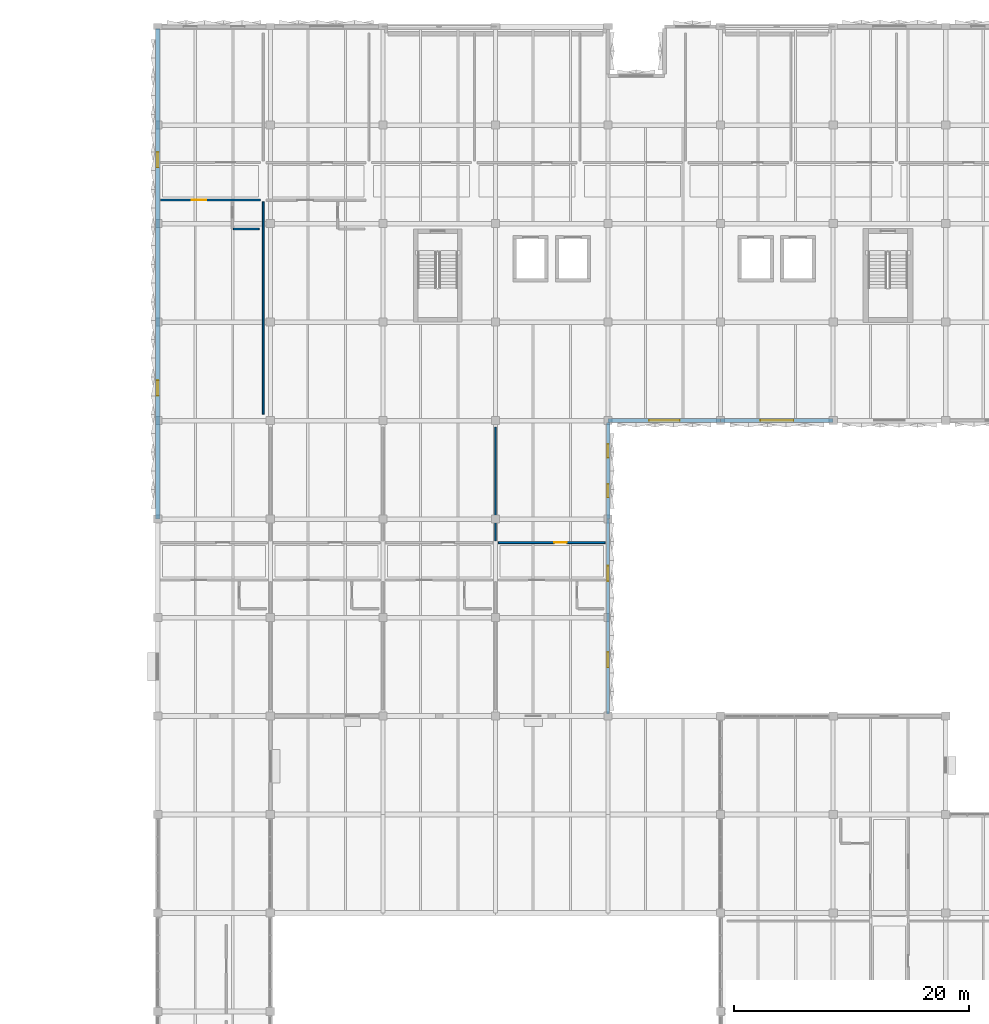
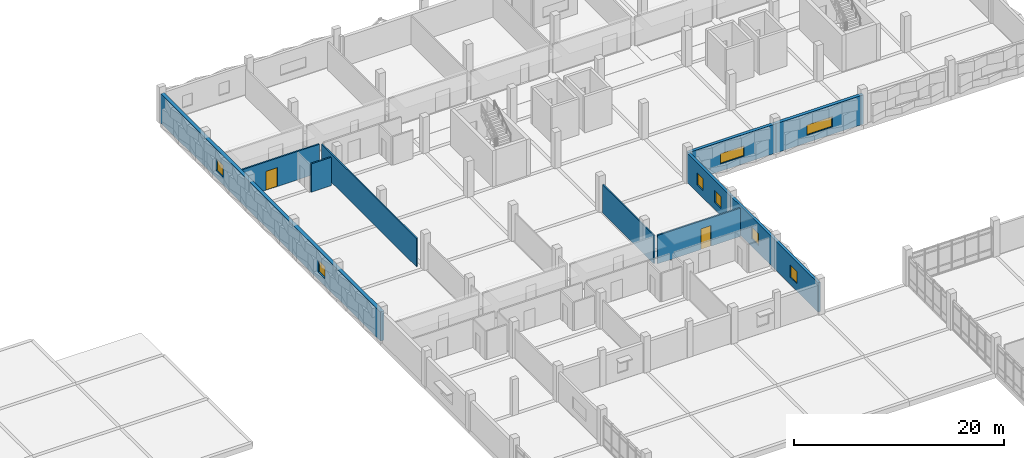
# One storey, part 44 of 57: 10 walls, 8 windows, 2 doors, 10 openings.
"""IFC4 building model written with IfcOpenShell, lengths in metres."""

import ifcopenshell
import ifcopenshell.guid

model = None  # the IFC model being written
_history = None  # IfcOwnerHistory: only IFC2X3 demands one
_inside = {}  # id of a spatial element -> (the spatial element, [elements in it])
_under = {}  # id of a project, library or spatial element -> (it, [spatial elements below it])
_declared = {}  # id of a project -> (the project, [libraries it declares])
_typed = {}  # id of a type object -> (the type object, [elements of that type])
_made_of = {}  # id of a material, layer set ... -> (it, [elements and type objects made of it])


def new_model(schema):
    """Start an empty IFC model of exactly this schema.

    Asked for "IFC4X3", IfcOpenShell would pick the latest addendum, in which some entities
    have other attributes; the version numbers below select the first issue.
    IFC2X3 requires an IfcOwnerHistory on every rooted entity: one is made here for all.
    """
    global model, _history
    if schema == "IFC4X3":
        model = ifcopenshell.file(schema_version=(4, 3, 0, 0))
    else:
        model = ifcopenshell.file(schema=schema)
    _inside.clear()
    _under.clear()
    _declared.clear()
    _typed.clear()
    _made_of.clear()
    _history = None
    if model.schema == "IFC2X3":
        org = make("IfcOrganization", Name="unknown")
        user = make(
            "IfcPersonAndOrganization",
            ThePerson=make("IfcPerson", FamilyName="unknown"),
            TheOrganization=org,
        )
        app = make(
            "IfcApplication",
            ApplicationDeveloper=org,
            Version="unknown",
            ApplicationFullName="unknown",
            ApplicationIdentifier="unknown",
        )
        _history = make(
            "IfcOwnerHistory",
            OwningUser=user,
            OwningApplication=app,
            ChangeAction="ADDED",
            CreationDate=0,
        )
    return model


def make(cls, **values):
    """One entity of the class cls with the attributes given. An attribute that is None is left unset."""
    return model.create_entity(
        cls, **{name: value for name, value in values.items() if value is not None}
    )


def rooted(cls, **values):
    """An entity with a GlobalId (a new one), such as an element, a storey or a relation."""
    return make(cls, GlobalId=ifcopenshell.guid.new(), OwnerHistory=_history, **values)


def si_unit(unit_type, name, prefix=None):
    """IfcSIUnit, for example si_unit("LENGTHUNIT", "METRE", prefix="MILLI")."""
    return make("IfcSIUnit", UnitType=unit_type, Prefix=prefix, Name=name)


def assignment(units):
    """IfcUnitAssignment: the units of a project."""
    return None if units is None else make("IfcUnitAssignment", Units=units)


def point(xyz):
    """IfcCartesianPoint."""
    return None if xyz is None else make("IfcCartesianPoint", Coordinates=xyz)


def direction(xyz):
    """IfcDirection."""
    return None if xyz is None else make("IfcDirection", DirectionRatios=xyz)


def frame(location, z_axis=None, x_axis=None):
    """IfcAxis2Placement3D, a coordinate frame: its origin and axes. An axis left out is left unset."""
    return make(
        "IfcAxis2Placement3D",
        Location=point(location),
        Axis=direction(z_axis),
        RefDirection=direction(x_axis),
    )


def frame_2d(location, x_axis=None):
    """IfcAxis2Placement2D, a coordinate frame in the plane: its origin and x axis."""
    return make(
        "IfcAxis2Placement2D", Location=point(location), RefDirection=direction(x_axis)
    )


def origin():
    """The frame at (0, 0, 0) with its axes left unset."""
    return frame((0.0, 0.0, 0.0))


def place(relative_to, where):
    """IfcLocalPlacement: puts the frame where relative to a parent placement (None: the world)."""
    return make(
        "IfcLocalPlacement", PlacementRelTo=relative_to, RelativePlacement=where
    )


def context(
    kind, dimensions, precision=None, world=None, true_north=None, identifier=None
):
    """IfcGeometricRepresentationContext, for example the 3D "Model" context."""
    return make(
        "IfcGeometricRepresentationContext",
        ContextIdentifier=identifier,
        ContextType=kind,
        CoordinateSpaceDimension=dimensions,
        Precision=precision,
        WorldCoordinateSystem=world,
        TrueNorth=true_north,
    )


def subcontext(parent, identifier, kind, view, scale=None):
    """IfcGeometricRepresentationSubContext, for example "Body" below "Model"."""
    return make(
        "IfcGeometricRepresentationSubContext",
        ContextIdentifier=identifier,
        ContextType=kind,
        ParentContext=parent,
        TargetScale=scale,
        TargetView=view,
    )


def project(units=None, contexts=None):
    """IfcProject with its units and contexts."""
    return rooted(
        "IfcProject",
        Name="project",
        RepresentationContexts=contexts,
        UnitsInContext=assignment(units),
    )


def spatial(cls, under=None, at=None, **own):
    """A site, building, storey or space (cls), placed at a placement, below another one or the project."""
    s = rooted(cls, ObjectPlacement=at, **own)
    if under is not None:
        _under.setdefault(under.id(), (under, []))[1].append(s)
    return s


def profile(cls, at=None, kind="AREA", **sizes):
    """A parametric profile (cls). Its sizes go by their IFC names, for example OverallWidth=200.0."""
    return make(cls, ProfileType=kind, Position=at, **sizes)


def rectangle(**sizes):
    """IfcRectangleProfileDef."""
    return profile("IfcRectangleProfileDef", **sizes)


def extrude(swept, where, along, depth):
    """IfcExtrudedAreaSolid: the profile swept, set in the frame where, extruded along a direction by depth."""
    return make(
        "IfcExtrudedAreaSolid",
        SweptArea=swept,
        Position=where,
        ExtrudedDirection=direction(along),
        Depth=depth,
    )


def shape(context_of_items, identifier, shape_type, items):
    """IfcShapeRepresentation: the items that make up one representation, for example the "Body"."""
    return make(
        "IfcShapeRepresentation",
        ContextOfItems=context_of_items,
        RepresentationIdentifier=identifier,
        RepresentationType=shape_type,
        Items=items,
    )


def material(Name=None, Category=None):
    """IfcMaterial."""
    return make("IfcMaterial", Name=Name, Category=Category)


def layer(
    of_material, thickness, ventilated=None, Name=None, Category=None, Priority=None
):
    """IfcMaterialLayer: one layer of a wall or slab, of a material (None: an air gap)."""
    return make(
        "IfcMaterialLayer",
        Material=of_material,
        LayerThickness=thickness,
        IsVentilated=ventilated,
        Name=Name,
        Category=Category,
        Priority=Priority,
    )


def layer_set(layers, Name=None):
    """IfcMaterialLayerSet."""
    return make("IfcMaterialLayerSet", MaterialLayers=layers, LayerSetName=Name)


def made_of(thing, what):
    """Note that an element or type object is made of a material, layer set ...; save() writes the relation."""
    if what is not None:
        _made_of.setdefault(what.id(), (what, []))[1].append(thing)
    return thing


def type_object(cls, material=None, **own):
    """A type object (cls), such as IfcWallType, which elements share."""
    return made_of(rooted(cls, **own), material)


def element(
    cls,
    number,
    at=None,
    inside=None,
    cuts=None,
    type_object=None,
    material=None,
    context=None,
    identifier="Body",
    shape_type=None,
    held_by="IfcProductDefinitionShape",
    body=None,
    shapes=None,
    **own,
):
    """One element of the class cls, such as IfcWall. Its Tag is "e" and its number.

    at: its placement. inside: the storey or other place that contains it. cuts: it is an
    opening in that element (IfcRelVoidsElement). A single representation is given by context,
    identifier, shape_type and body (its items); several are given by shapes. held_by: the class
    of the entity that holds the representations. save() writes the other relations.
    """
    e = rooted(cls, Tag="e%d" % number, ObjectPlacement=at, **own)
    if body is not None:
        shapes = [shape(context, identifier, shape_type, body)]
    if shapes is not None:
        e.Representation = make(held_by, Representations=shapes)
    if inside is not None:
        _inside.setdefault(inside.id(), (inside, []))[1].append(e)
    if cuts is not None:
        rooted(
            "IfcRelVoidsElement", RelatingBuildingElement=cuts, RelatedOpeningElement=e
        )
    if type_object is not None:
        _typed.setdefault(type_object.id(), (type_object, []))[1].append(e)
    return made_of(e, material)


def fill(opening, filler):
    """IfcRelFillsElement: the door or window that sits in an opening."""
    return rooted(
        "IfcRelFillsElement",
        RelatingOpeningElement=opening,
        RelatedBuildingElement=filler,
    )


def aggregate(whole, parts):
    """IfcRelAggregates: a whole, such as a stair, and the parts it consists of."""
    return rooted("IfcRelAggregates", RelatingObject=whole, RelatedObjects=parts)


def save(model, path):
    """Write the relations noted so far, then the file.

    IfcRelAggregates (storeys below a building ...), IfcRelContainedInSpatialStructure (elements
    in a storey), IfcRelDefinesByType, IfcRelAssociatesMaterial and IfcRelDeclares: one each for
    every whole, place, type object, material and project.
    """
    for whole, parts in _under.values():
        aggregate(whole, parts)
    for where, things in _inside.values():
        rooted(
            "IfcRelContainedInSpatialStructure",
            RelatedElements=things,
            RelatingStructure=where,
        )
    for kind, things in _typed.values():
        rooted("IfcRelDefinesByType", RelatedObjects=things, RelatingType=kind)
    for what, things in _made_of.values():
        rooted("IfcRelAssociatesMaterial", RelatedObjects=things, RelatingMaterial=what)
    for by, libraries in _declared.values():
        rooted("IfcRelDeclares", RelatingContext=by, RelatedDefinitions=libraries)
    model.write(path)


model = new_model("IFC4")

# Units and contexts
model_context = context("Model", 3, precision=1e-05, world=origin(), true_north=direction((0.0, 1.0)))
body_context = subcontext(model_context, "Body", "Model", "MODEL_VIEW")
ifc_project = project(units=[si_unit("LENGTHUNIT", "METRE"), si_unit("AREAUNIT", "SQUARE_METRE"), si_unit("VOLUMEUNIT", "CUBIC_METRE"), si_unit("PLANEANGLEUNIT", "RADIAN"), si_unit("MASSUNIT", "GRAM", prefix="KILO")], contexts=[model_context])

# Site, building, storey
site_placement = place(None, origin())
site = spatial("IfcSite", under=ifc_project, at=site_placement, CompositionType="ELEMENT")
building_placement = place(site_placement, origin())
building = spatial("IfcBuilding", under=site, at=building_placement, Name="Oolite Switchyard Hospital", CompositionType="ELEMENT")
storey_placement = place(building_placement, frame((0.0, 0.0, 17.800048828125)))
storey = spatial("IfcBuildingStorey", under=building, at=storey_placement, Name="L04", CompositionType="ELEMENT", Elevation=17.800048828125)

# Wall, openings, windows
ifc_material_1 = material(Name="Precast oolitic limestone architectural concrete C40/50", Category="masonry")
ifc_layer_1 = layer(ifc_material_1, 0.280029296875)
ifc_layer_set_1 = layer_set([ifc_layer_1], Name="WAL-EXT-280")
wall_type_1 = type_object("IfcWallType", Name="WAL-EXT-280", PredefinedType="SOLIDWALL", material=ifc_layer_set_1)
wall_1_placement = place(storey_placement, frame((172.800048828125, 92.39990234375, 0.0), z_axis=(0.0, 0.0, 1.0), x_axis=(0.0, -1.0, 0.0)))
wall_1 = element("IfcWall", 1, at=wall_1_placement, inside=storey, type_object=wall_type_1, Name="L04 Exterior Spandrel Wall 298", PredefinedType="SOLIDWALL", context=body_context, shape_type="SweptSolid", body=[
    extrude(rectangle(XDim=16.639892578125, YDim=0.280029296875, at=frame_2d((8.31982421875, 0.0))), origin(), (0.0, 0.0, 1.0), 3.389892578125),
])
opening_1_placement = place(wall_1_placement, frame((3.988037109375, 0.0, 0.85009765625)))
opening_1 = element("IfcOpeningElement", 2, at=opening_1_placement, cuts=wall_1, Name="Opening WN-0179", PredefinedType="OPENING", context=body_context, shape_type="SweptSolid", body=[
    extrude(rectangle(XDim=1.300048828125, YDim=1.39990234375, at=frame_2d((0.64990234375, 0.699951171875))), frame((0.0, 0.14990234375, 0.0), z_axis=(0.0, -1.0, 0.0), x_axis=(1.0, 0.0, 0.0)), (0.0, 0.0, 1.0), 0.300048828125),
])
opening_2_placement = place(wall_1_placement, frame((11.35205078125, 0.0, 0.85009765625)))
opening_2 = element("IfcOpeningElement", 3, at=opening_2_placement, cuts=wall_1, Name="Opening WN-0180", PredefinedType="OPENING", context=body_context, shape_type="SweptSolid", body=[
    extrude(rectangle(XDim=1.300048828125, YDim=1.39990234375, at=frame_2d((0.64990234375, 0.699951171875))), frame((0.0, 0.14990234375, 0.0), z_axis=(0.0, -1.0, 0.0), x_axis=(1.0, 0.0, 0.0)), (0.0, 0.0, 1.0), 0.300048828125),
])
ifc_material_2 = material(Name="Thermally broken aluminum frame with laminated impact glazing", Category="aluminium")
window_type_1 = type_object("IfcWindowType", Name="WIN-IMP-130X140", PartitioningType="SINGLE_PANEL", PredefinedType="WINDOW", material=ifc_material_2)
window_1_placement = place(opening_1_placement, origin())
window_1 = element("IfcWindow", 4, at=window_1_placement, inside=storey, type_object=window_type_1, Name="L04 Hurricane Impact Window WN-0179", OverallHeight=1.39990234375, OverallWidth=1.300048828125, PartitioningType="SINGLE_PANEL", PredefinedType="WINDOW", context=body_context, shape_type="SweptSolid", body=[
    extrude(rectangle(XDim=1.300048828125, YDim=1.39990234375, at=frame_2d((0.64990234375, 0.699951171875))), frame((0.0, 0.030029296875, 0.0), z_axis=(0.0, -1.0, 0.0), x_axis=(1.0, 0.0, 0.0)), (0.0, 0.0, 1.0), 0.06005859375),
])
fill(opening_1, window_1)
window_2_placement = place(opening_2_placement, origin())
window_2 = element("IfcWindow", 5, at=window_2_placement, inside=storey, type_object=window_type_1, Name="L04 Hurricane Impact Window WN-0180", OverallHeight=1.39990234375, OverallWidth=1.300048828125, PartitioningType="SINGLE_PANEL", PredefinedType="WINDOW", context=body_context, shape_type="SweptSolid", body=[
    extrude(rectangle(XDim=1.300048828125, YDim=1.39990234375, at=frame_2d((0.64990234375, 0.699951171875))), frame((0.0, 0.030029296875, 0.0), z_axis=(0.0, -1.0, 0.0), x_axis=(1.0, 0.0, 0.0)), (0.0, 0.0, 1.0), 0.06005859375),
])
fill(opening_2, window_2)

ifc_layer_2 = layer(ifc_material_1, 0.300048828125)
ifc_layer_set_2 = layer_set([ifc_layer_2], Name="WAL-EXT-300")
wall_type_2 = type_object("IfcWallType", Name="WAL-EXT-300", PredefinedType="SOLIDWALL", material=ifc_layer_set_2)
wall_2_placement = place(storey_placement, frame((172.800048828125, 100.639892578125, 0.0), z_axis=(0.0, 0.0, 1.0), x_axis=(0.0, -1.0, 0.0)))
wall_2 = element("IfcWall", 6, at=wall_2_placement, inside=storey, type_object=wall_type_2, Name="L04 Exterior Spandrel Wall 299", PredefinedType="SOLIDWALL", context=body_context, shape_type="SweptSolid", body=[
    extrude(rectangle(XDim=8.239990234375, YDim=0.300048828125, at=frame_2d((4.1201171875, 0.0))), origin(), (0.0, 0.0, 1.0), 3.389892578125),
])
opening_3_placement = place(wall_2_placement, frame((1.843017578125, 0.0, 0.85009765625)))
opening_3 = element("IfcOpeningElement", 7, at=opening_3_placement, cuts=wall_2, Name="Opening WN-0181", PredefinedType="OPENING", context=body_context, shape_type="SweptSolid", body=[
    extrude(rectangle(XDim=1.14990234375, YDim=1.39990234375, at=frame_2d((0.574951171875, 0.699951171875))), frame((0.0, 0.16015625, 0.0), z_axis=(0.0, -1.0, 0.0), x_axis=(1.0, 0.0, 0.0)), (0.0, 0.0, 1.0), 0.320068359375),
])
opening_4_placement = place(wall_2_placement, frame((5.2470703125, 0.0, 0.85009765625)))
opening_4 = element("IfcOpeningElement", 8, at=opening_4_placement, cuts=wall_2, Name="Opening WN-0182", PredefinedType="OPENING", context=body_context, shape_type="SweptSolid", body=[
    extrude(rectangle(XDim=1.14990234375, YDim=1.39990234375, at=frame_2d((0.574951171875, 0.699951171875))), frame((0.0, 0.16015625, 0.0), z_axis=(0.0, -1.0, 0.0), x_axis=(1.0, 0.0, 0.0)), (0.0, 0.0, 1.0), 0.320068359375),
])
window_type_2 = type_object("IfcWindowType", Name="WIN-IMP-115X140", PartitioningType="SINGLE_PANEL", PredefinedType="WINDOW", material=ifc_material_2)
window_3_placement = place(opening_3_placement, origin())
window_3 = element("IfcWindow", 9, at=window_3_placement, inside=storey, type_object=window_type_2, Name="L04 Hurricane Impact Window WN-0181", OverallHeight=1.39990234375, OverallWidth=1.14990234375, PartitioningType="SINGLE_PANEL", PredefinedType="WINDOW", context=body_context, shape_type="SweptSolid", body=[
    extrude(rectangle(XDim=1.14990234375, YDim=1.39990234375, at=frame_2d((0.574951171875, 0.699951171875))), frame((0.0, 0.030029296875, 0.0), z_axis=(0.0, -1.0, 0.0), x_axis=(1.0, 0.0, 0.0)), (0.0, 0.0, 1.0), 0.06005859375),
])
fill(opening_3, window_3)
window_4_placement = place(opening_4_placement, origin())
window_4 = element("IfcWindow", 10, at=window_4_placement, inside=storey, type_object=window_type_2, Name="L04 Hurricane Impact Window WN-0182", OverallHeight=1.39990234375, OverallWidth=1.14990234375, PartitioningType="SINGLE_PANEL", PredefinedType="WINDOW", context=body_context, shape_type="SweptSolid", body=[
    extrude(rectangle(XDim=1.14990234375, YDim=1.39990234375, at=frame_2d((0.574951171875, 0.699951171875))), frame((0.0, 0.030029296875, 0.0), z_axis=(0.0, -1.0, 0.0), x_axis=(1.0, 0.0, 0.0)), (0.0, 0.0, 1.0), 0.06005859375),
])
fill(opening_4, window_4)

# Wall, opening, window
ifc_layer_3 = layer(ifc_material_1, 0.340087890625)
ifc_layer_set_3 = layer_set([ifc_layer_3], Name="WAL-EXT-340")
wall_type_3 = type_object("IfcWallType", Name="WAL-EXT-340", PredefinedType="SOLIDWALL", material=ifc_layer_set_3)
wall_3_placement = place(storey_placement, frame((182.39990234375, 100.800048828125, 0.0), z_axis=(0.0, 0.0, 1.0), x_axis=(-1.0, 0.0, 0.0)))
wall_3 = element("IfcWall", 11, at=wall_3_placement, inside=storey, type_object=wall_type_3, Name="L04 Exterior Spandrel Wall 266", PredefinedType="SOLIDWALL", context=body_context, shape_type="SweptSolid", body=[
    extrude(rectangle(XDim=9.599853515625, YDim=0.340087890625, at=frame_2d((4.7998046875, 0.0))), origin(), (0.0, 0.0, 1.0), 3.389892578125),
])
opening_5_placement = place(wall_3_placement, frame((3.5, 0.0, 0.85009765625)))
opening_5 = element("IfcOpeningElement", 12, at=opening_5_placement, cuts=wall_3, Name="Opening WN-0161", PredefinedType="OPENING", context=body_context, shape_type="SweptSolid", body=[
    extrude(rectangle(XDim=2.60009765625, YDim=1.199951171875, at=frame_2d((1.300048828125, 0.60009765625))), frame((0.0, 0.18017578125, 0.0), z_axis=(0.0, -1.0, 0.0), x_axis=(1.0, 0.0, 0.0)), (0.0, 0.0, 1.0), 0.360107421875),
])
window_type_3 = type_object("IfcWindowType", Name="WIN-IMP-260X120", PartitioningType="SINGLE_PANEL", PredefinedType="WINDOW", material=ifc_material_2)
window_5_placement = place(opening_5_placement, origin())
window_5 = element("IfcWindow", 13, at=window_5_placement, inside=storey, type_object=window_type_3, Name="L04 Hurricane Impact Window WN-0161", OverallHeight=1.199951171875, OverallWidth=2.60009765625, PartitioningType="SINGLE_PANEL", PredefinedType="WINDOW", context=body_context, shape_type="SweptSolid", body=[
    extrude(rectangle(XDim=2.60009765625, YDim=1.199951171875, at=frame_2d((1.300048828125, 0.60009765625))), frame((0.0, 0.030029296875, 0.0), z_axis=(0.0, -1.0, 0.0), x_axis=(1.0, 0.0, 0.0)), (0.0, 0.0, 1.0), 0.06005859375),
])
fill(opening_5, window_5)

ifc_layer_4 = layer(ifc_material_1, 0.360107421875)
ifc_layer_set_4 = layer_set([ifc_layer_4], Name="WAL-EXT-360")
wall_type_4 = type_object("IfcWallType", Name="WAL-EXT-360", PredefinedType="SOLIDWALL", material=ifc_layer_set_4)
wall_4_placement = place(storey_placement, frame((192.0, 100.800048828125, 0.0), z_axis=(0.0, 0.0, 1.0), x_axis=(-1.0, 0.0, 0.0)))
wall_4 = element("IfcWall", 14, at=wall_4_placement, inside=storey, type_object=wall_type_4, Name="L04 Exterior Spandrel Wall 267", PredefinedType="SOLIDWALL", context=body_context, shape_type="SweptSolid", body=[
    extrude(rectangle(XDim=9.60009765625, YDim=0.360107421875, at=frame_2d((4.800048828125, 0.0))), origin(), (0.0, 0.0, 1.0), 3.389892578125),
])
opening_6_placement = place(wall_4_placement, frame((3.39990234375, 0.0, 0.85009765625)))
opening_6 = element("IfcOpeningElement", 15, at=opening_6_placement, cuts=wall_4, Name="Opening WN-0162", PredefinedType="OPENING", context=body_context, shape_type="SweptSolid", body=[
    extrude(rectangle(XDim=2.800048828125, YDim=1.199951171875, at=frame_2d((1.39990234375, 0.60009765625))), frame((0.0, 0.18994140625, 0.0), z_axis=(0.0, -1.0, 0.0), x_axis=(1.0, 0.0, 0.0)), (0.0, 0.0, 1.0), 0.380126953125),
])
window_type_4 = type_object("IfcWindowType", Name="WIN-IMP-280X120", PartitioningType="SINGLE_PANEL", PredefinedType="WINDOW", material=ifc_material_2)
window_6_placement = place(opening_6_placement, origin())
window_6 = element("IfcWindow", 16, at=window_6_placement, inside=storey, type_object=window_type_4, Name="L04 Hurricane Impact Window WN-0162", OverallHeight=1.199951171875, OverallWidth=2.800048828125, PartitioningType="SINGLE_PANEL", PredefinedType="WINDOW", context=body_context, shape_type="SweptSolid", body=[
    extrude(rectangle(XDim=2.800048828125, YDim=1.199951171875, at=frame_2d((1.39990234375, 0.60009765625))), frame((0.0, 0.030029296875, 0.0), z_axis=(0.0, -1.0, 0.0), x_axis=(1.0, 0.0, 0.0)), (0.0, 0.0, 1.0), 0.06005859375),
])
fill(opening_6, window_6)

# Wall, openings, windows
ifc_layer_5 = layer(ifc_material_1, 0.3798828125)
ifc_layer_set_5 = layer_set([ifc_layer_5], Name="WAL-EXT-380")
wall_type_5 = type_object("IfcWallType", Name="WAL-EXT-380", PredefinedType="SOLIDWALL", material=ifc_layer_set_5)
wall_5_placement = place(storey_placement, frame((134.39990234375, 92.39990234375, 0.0), z_axis=(0.0, 0.0, 1.0), x_axis=(0.0, 1.0, 0.0)))
wall_5 = element("IfcWall", 17, at=wall_5_placement, inside=storey, type_object=wall_type_5, Name="L04 Exterior Spandrel Wall 296", PredefinedType="SOLIDWALL", context=body_context, shape_type="SweptSolid", body=[
    extrude(rectangle(XDim=41.840087890625, YDim=0.3798828125, at=frame_2d((20.919921875, 0.0))), origin(), (0.0, 0.0, 1.0), 3.389892578125),
])
opening_7_placement = place(wall_5_placement, frame((10.5400390625, 0.0, 0.85009765625)))
opening_7 = element("IfcOpeningElement", 18, at=opening_7_placement, cuts=wall_5, Name="Opening WN-0176", PredefinedType="OPENING", context=body_context, shape_type="SweptSolid", body=[
    extrude(rectangle(XDim=1.300048828125, YDim=1.39990234375, at=frame_2d((0.64990234375, 0.699951171875))), frame((0.0, 0.199951171875, 0.0), z_axis=(0.0, -1.0, 0.0), x_axis=(1.0, 0.0, 0.0)), (0.0, 0.0, 1.0), 0.39990234375),
])
opening_8_placement = place(wall_5_placement, frame((30.0, 0.0, 0.85009765625)))
opening_8 = element("IfcOpeningElement", 19, at=opening_8_placement, cuts=wall_5, Name="Opening WN-0177", PredefinedType="OPENING", context=body_context, shape_type="SweptSolid", body=[
    extrude(rectangle(XDim=1.300048828125, YDim=1.39990234375, at=frame_2d((0.64990234375, 0.699951171875))), frame((0.0, 0.199951171875, 0.0), z_axis=(0.0, -1.0, 0.0), x_axis=(1.0, 0.0, 0.0)), (0.0, 0.0, 1.0), 0.39990234375),
])
window_7_placement = place(opening_7_placement, origin())
window_7 = element("IfcWindow", 20, at=window_7_placement, inside=storey, type_object=window_type_1, Name="L04 Hurricane Impact Window WN-0176", OverallHeight=1.39990234375, OverallWidth=1.300048828125, PartitioningType="SINGLE_PANEL", PredefinedType="WINDOW", context=body_context, shape_type="SweptSolid", body=[
    extrude(rectangle(XDim=1.300048828125, YDim=1.39990234375, at=frame_2d((0.64990234375, 0.699951171875))), frame((0.0, 0.030029296875, 0.0), z_axis=(0.0, -1.0, 0.0), x_axis=(1.0, 0.0, 0.0)), (0.0, 0.0, 1.0), 0.06005859375),
])
fill(opening_7, window_7)
window_8_placement = place(opening_8_placement, origin())
window_8 = element("IfcWindow", 21, at=window_8_placement, inside=storey, type_object=window_type_1, Name="L04 Hurricane Impact Window WN-0177", OverallHeight=1.39990234375, OverallWidth=1.300048828125, PartitioningType="SINGLE_PANEL", PredefinedType="WINDOW", context=body_context, shape_type="SweptSolid", body=[
    extrude(rectangle(XDim=1.300048828125, YDim=1.39990234375, at=frame_2d((0.64990234375, 0.699951171875))), frame((0.0, 0.030029296875, 0.0), z_axis=(0.0, -1.0, 0.0), x_axis=(1.0, 0.0, 0.0)), (0.0, 0.0, 1.0), 0.06005859375),
])
fill(opening_8, window_8)

# Walls
ifc_material_3 = material(Name="Moisture-resistant gypsum board on steel studs", Category="steel")
ifc_layer_6 = layer(ifc_material_3, 0.135009765625)
ifc_layer_set_6 = layer_set([ifc_layer_6], Name="WAL-PART-135")
wall_type_6 = type_object("IfcWallType", Name="WAL-PART-135", PredefinedType="PARTITIONING", material=ifc_layer_set_6)
wall_6_placement = place(storey_placement, frame((143.39990234375, 101.35009765625, 0.0), z_axis=(0.0, 0.0, 1.0), x_axis=(0.0, 1.0, 0.0)))
element("IfcWall", 22, at=wall_6_placement, inside=storey, type_object=wall_type_6, Name="L04 Interior Partition 770", PredefinedType="PARTITIONING", context=body_context, shape_type="SweptSolid", body=[
    extrude(rectangle(XDim=18.099853515625, YDim=0.135009765625, at=frame_2d((9.0498046875, 0.0))), origin(), (0.0, 0.0, 1.0), 3.300048828125),
])
wall_7_placement = place(storey_placement, frame((163.199951171875, 90.550048828125, 0.0), z_axis=(0.0, 0.0, 1.0), x_axis=(0.0, 1.0, 0.0)))
element("IfcWall", 23, at=wall_7_placement, inside=storey, type_object=wall_type_6, Name="L04 Interior Partition 968", PredefinedType="PARTITIONING", context=body_context, shape_type="SweptSolid", body=[
    extrude(rectangle(XDim=9.699951171875, YDim=0.135009765625, at=frame_2d((4.85009765625, 0.0))), origin(), (0.0, 0.0, 1.0), 3.300048828125),
])
ifc_layer_7 = layer(ifc_material_3, 0.14990234375)
ifc_layer_set_7 = layer_set([ifc_layer_7], Name="WAL-PART-150")
wall_type_7 = type_object("IfcWallType", Name="WAL-PART-150", PredefinedType="PARTITIONING", material=ifc_layer_set_7)
wall_8_placement = place(storey_placement, frame((140.85009765625, 117.14990234375, 0.0), z_axis=(0.0, 0.0, 1.0), x_axis=(1.0, 0.0, 0.0)))
element("IfcWall", 24, at=wall_8_placement, inside=storey, type_object=wall_type_7, Name="L04 Interior Partition 765", PredefinedType="PARTITIONING", context=body_context, shape_type="SweptSolid", body=[
    extrude(rectangle(XDim=2.199951171875, YDim=0.14990234375, at=frame_2d((1.10009765625, 0.0))), origin(), (0.0, 0.0, 1.0), 3.300048828125),
])

# Wall, opening, door
ifc_layer_8 = layer(ifc_material_3, 0.1650390625)
ifc_layer_set_8 = layer_set([ifc_layer_8], Name="WAL-PART-165")
wall_type_8 = type_object("IfcWallType", Name="WAL-PART-165", PredefinedType="PARTITIONING", material=ifc_layer_set_8)
wall_9_placement = place(storey_placement, frame((134.64990234375, 119.60009765625, 0.0), z_axis=(0.0, 0.0, 1.0), x_axis=(1.0, 0.0, 0.0)))
wall_9 = element("IfcWall", 25, at=wall_9_placement, inside=storey, type_object=wall_type_8, Name="L04 Interior Partition 763", PredefinedType="PARTITIONING", context=body_context, shape_type="SweptSolid", body=[
    extrude(rectangle(XDim=8.5, YDim=0.1650390625, at=frame_2d((4.25, 0.0))), origin(), (0.0, 0.0, 1.0), 3.300048828125),
])
opening_9_placement = place(wall_9_placement, frame((2.64990234375, 0.0, 0.0)))
opening_9 = element("IfcOpeningElement", 26, at=opening_9_placement, cuts=wall_9, Name="Opening D-0424", PredefinedType="OPENING", context=body_context, shape_type="SweptSolid", body=[
    extrude(rectangle(XDim=1.25, YDim=2.199951171875, at=frame_2d((0.625, 1.10009765625))), frame((0.0, 0.092529296875, 0.0), z_axis=(0.0, -1.0, 0.0), x_axis=(1.0, 0.0, 0.0)), (0.0, 0.0, 1.0), 0.18505859375),
])
ifc_material_4 = material(Name="Solid-core antimicrobial hardwood leaf in steel frame", Category="steel")
door_type_1 = type_object("IfcDoorType", Name="DR-WARD-125X220", OperationType="NOTDEFINED", PredefinedType="DOOR", material=ifc_material_4)
door_1_placement = place(opening_9_placement, origin())
door_1 = element("IfcDoor", 27, at=door_1_placement, inside=storey, type_object=door_type_1, Name="L04 Interior Door D-0424", OperationType="SINGLE_SWING_LEFT", OverallHeight=2.199951171875, OverallWidth=1.25, PredefinedType="DOOR", context=body_context, shape_type="SweptSolid", body=[
    extrude(rectangle(XDim=1.25, YDim=2.199951171875, at=frame_2d((0.625, 1.10009765625))), frame((0.0, 0.02490234375, 0.0), z_axis=(0.0, -1.0, 0.0), x_axis=(1.0, 0.0, 0.0)), (0.0, 0.0, 1.0), 0.050048828125),
])
fill(opening_9, door_1)

wall_10_placement = place(storey_placement, frame((163.449951171875, 90.39990234375, 0.0), z_axis=(0.0, 0.0, 1.0), x_axis=(1.0, 0.0, 0.0)))
wall_10 = element("IfcWall", 28, at=wall_10_placement, inside=storey, type_object=wall_type_8, Name="L04 Interior Partition 967", PredefinedType="PARTITIONING", context=body_context, shape_type="SweptSolid", body=[
    extrude(rectangle(XDim=9.10009765625, YDim=0.1650390625, at=frame_2d((4.550048828125, 0.0))), origin(), (0.0, 0.0, 1.0), 3.300048828125),
])
opening_10_placement = place(wall_10_placement, frame((4.75, 0.0, 0.0)))
opening_10 = element("IfcOpeningElement", 29, at=opening_10_placement, cuts=wall_10, Name="Opening D-0536", PredefinedType="OPENING", context=body_context, shape_type="SweptSolid", body=[
    extrude(rectangle(XDim=1.10009765625, YDim=2.39990234375, at=frame_2d((0.550048828125, 1.199951171875))), frame((0.0, 0.092529296875, 0.0), z_axis=(0.0, -1.0, 0.0), x_axis=(1.0, 0.0, 0.0)), (0.0, 0.0, 1.0), 0.18505859375),
])
ifc_material_5 = material(Name="Hollow metal fire-rated steel door assembly", Category="steel")
door_type_2 = type_object("IfcDoorType", Name="DR-LAB-110X240", OperationType="NOTDEFINED", PredefinedType="DOOR", material=ifc_material_5)
door_2_placement = place(opening_10_placement, origin())
door_2 = element("IfcDoor", 30, at=door_2_placement, inside=storey, type_object=door_type_2, Name="L04 Interior Door D-0536", OperationType="SINGLE_SWING_LEFT", OverallHeight=2.39990234375, OverallWidth=1.10009765625, PredefinedType="DOOR", context=body_context, shape_type="SweptSolid", body=[
    extrude(rectangle(XDim=1.10009765625, YDim=2.39990234375, at=frame_2d((0.550048828125, 1.199951171875))), frame((0.0, 0.02490234375, 0.0), z_axis=(0.0, -1.0, 0.0), x_axis=(1.0, 0.0, 0.0)), (0.0, 0.0, 1.0), 0.050048828125),
])
fill(opening_10, door_2)

save(model, "model.ifc")
